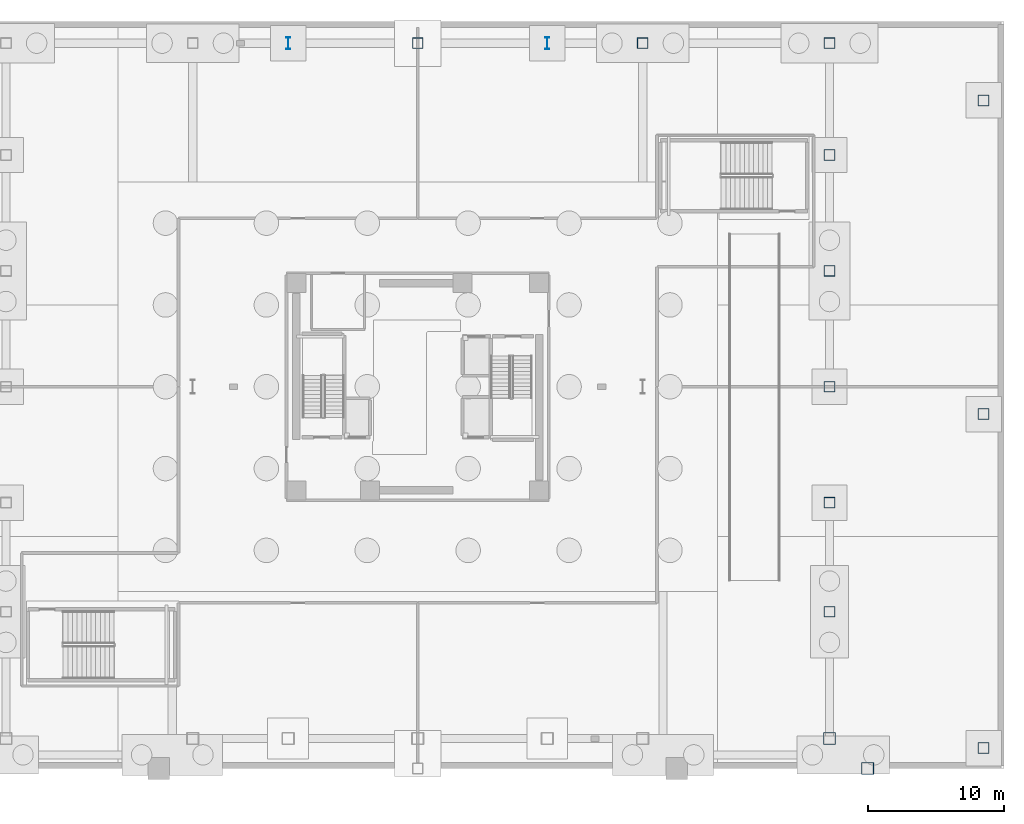
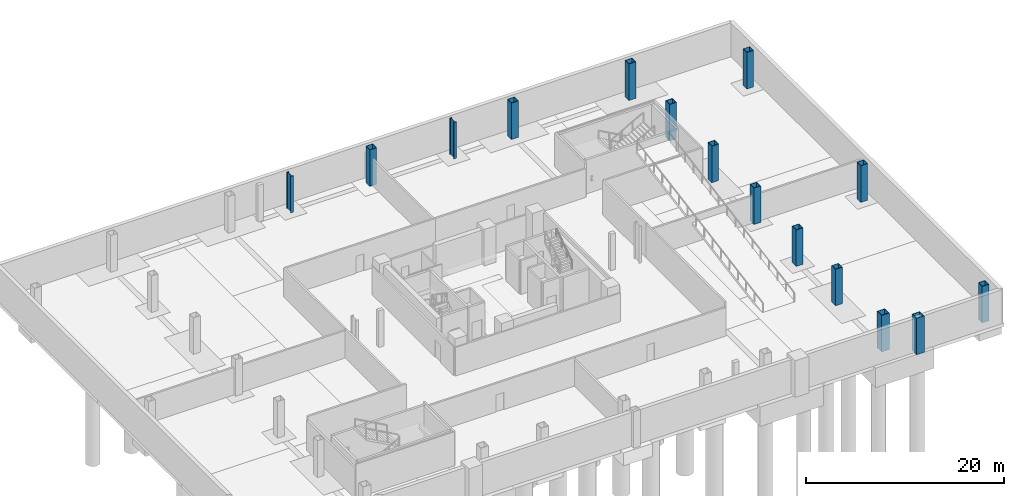
# One storey, part 4 of 15: 15 columns.
"""IFC4 building model written with IfcOpenShell, lengths in metres."""

from ifc_helpers import new_model, si_unit, direction, frame, origin, origin_2d, place, context, subcontext, project, spatial, hollow_rectangle, i_section, extrude, material, material_profile, profile_set, type_object, element, save


model = new_model("IFC4")

# Units and contexts
model_context = context("Model", 3, precision=1e-05, world=origin(), true_north=direction((0.0, 1.0)))
body_context = subcontext(model_context, "Body", "Model", "MODEL_VIEW")
ifc_project = project(units=[si_unit("LENGTHUNIT", "METRE"), si_unit("AREAUNIT", "SQUARE_METRE"), si_unit("VOLUMEUNIT", "CUBIC_METRE"), si_unit("PLANEANGLEUNIT", "RADIAN"), si_unit("MASSUNIT", "GRAM", prefix="KILO")], contexts=[model_context])

# Site, building, storey
site_placement = place(None, origin())
site = spatial("IfcSite", under=ifc_project, at=site_placement, CompositionType="ELEMENT")
building_placement = place(site_placement, origin())
building = spatial("IfcBuilding", under=site, at=building_placement, Name="Tharavind Bronze Gate", CompositionType="ELEMENT")
storey_placement = place(building_placement, frame((0.0, 0.0, -9.0)))
storey = spatial("IfcBuildingStorey", under=building, at=storey_placement, Name="B02", CompositionType="ELEMENT", Elevation=-9.0)

# Columns
ifc_material = material(Name="Steel S460", Category="steel")
ifc_material_profile_1 = material_profile(ifc_material, hollow_rectangle(XDim=0.800048828125, YDim=0.800048828125, WallThickness=0.044921875, at=origin_2d()), Name="SHS800X45")
ifc_profile_set_1 = profile_set([ifc_material_profile_1], Name="Steel S460")
column_type_1 = type_object("IfcColumnType", Name="PERIMETER BOX COLUMN SHS800", PredefinedType="COLUMN", material=ifc_profile_set_1)
for number, where, z_axis, x_axis, name in (
    (1, (0.0, 25.199951171875, 0.0), (0.0, 0.0, 1.0), (1.0, 0.0, 0.0), "B02 podium column PN40"),
    (2, (16.5, 25.199951171875, 0.0), (0.0, 0.0, 1.0), (1.0, 0.0, 0.0), "B02 podium column PN56"),
    (3, (30.199951171875, 25.199951171875, 0.0), (0.0, 0.0, 1.0), (1.0, 0.0, 0.0), "B02 podium column PN70"),
    (4, (30.199951171875, -16.5, 0.0), (0.0, 0.0, 1.0), (1.0, 0.0, 0.0), "B02 podium column PE14"),
    (5, (30.199951171875, -8.5, 0.0), (0.0, 0.0, 1.0), (1.0, 0.0, 0.0), "B02 podium column PE22"),
    (6, (30.199951171875, 0.0, 0.0), (0.0, 0.0, 1.0), (1.0, 0.0, 0.0), "B02 podium column PE30"),
    (7, (30.199951171875, 8.5, 0.0), (0.0, 0.0, 1.0), (1.0, 0.0, 0.0), "B02 podium column PE38"),
    (8, (30.199951171875, 17.0, 0.0), (0.0, 0.0, 1.0), (1.0, 0.0, 0.0), "B02 podium column PE47"),
    (9, (41.5, -26.5, 0.0), (0.0, 0.0, 1.0), (1.0, 0.0, 0.0), "B02 podium column BSX91Y8"),
    (10, (41.5, -2.0, 0.0), (0.0, 0.0, 1.0), (1.0, 0.0, 0.0), "B02 podium column BSX91Y33"),
    (11, (41.5, 21.0, 0.0), (0.0, 0.0, 1.0), (1.0, 0.0, 0.0), "B02 podium column BSX91Y56"),
):
    element("IfcColumn", number, at=place(storey_placement, frame(where, z_axis=z_axis, x_axis=x_axis)), inside=storey, type_object=column_type_1, Name=name, PredefinedType="COLUMN", context=body_context, shape_type="SweptSolid", body=[
        extrude(hollow_rectangle(XDim=0.800048828125, YDim=0.800048828125, WallThickness=0.044921875, at=origin_2d()), origin(), (0.0, 0.0, 1.0), 4.5),
    ])
ifc_material_profile_2 = material_profile(ifc_material, hollow_rectangle(XDim=0.89990234375, YDim=0.89990234375, WallThickness=0.050048828125, at=origin_2d()), Name="SHS900X50")
ifc_profile_set_2 = profile_set([ifc_material_profile_2], Name="Steel S460")
column_type_2 = type_object("IfcColumnType", Name="PERIMETER BOX COLUMN SHS900", PredefinedType="COLUMN", material=ifc_profile_set_2)
for number, where, z_axis, x_axis, name in (
    (12, (30.199951171875, -25.800048828125, 0.0), (0.0, 0.0, 1.0), (1.0, 0.0, 0.0), "B02 podium column PS70"),
    (13, (33.0, -28.0, 0.0), (0.0, 0.0, 1.0), (1.0, 0.0, 0.0), "B02 podium column CRNS4"),
):
    element("IfcColumn", number, at=place(storey_placement, frame(where, z_axis=z_axis, x_axis=x_axis)), inside=storey, type_object=column_type_2, Name=name, PredefinedType="COLUMN", context=body_context, shape_type="SweptSolid", body=[
        extrude(hollow_rectangle(XDim=0.89990234375, YDim=0.89990234375, WallThickness=0.050048828125, at=origin_2d()), origin(), (0.0, 0.0, 1.0), 4.5),
    ])
ifc_material_profile_3 = material_profile(ifc_material, i_section(OverallWidth=0.300048828125, OverallDepth=0.89990234375, WebThickness=0.0185546875, FlangeThickness=0.034912109375, at=origin_2d()), Name="HE900B")
ifc_profile_set_3 = profile_set([ifc_material_profile_3], Name="Steel S460")
column_type_3 = type_object("IfcColumnType", Name="PODIUM HALL COLUMN HE900B", PredefinedType="COLUMN", material=ifc_profile_set_3)
for number, where, z_axis, x_axis, name in (
    (14, (-9.5, 25.199951171875, 0.0), (0.0, 0.0, 1.0), (1.0, 0.0, 0.0), "B02 podium column PN30"),
    (15, (9.5, 25.199951171875, 0.0), (0.0, 0.0, 1.0), (1.0, 0.0, 0.0), "B02 podium column PN50"),
):
    element("IfcColumn", number, at=place(storey_placement, frame(where, z_axis=z_axis, x_axis=x_axis)), inside=storey, type_object=column_type_3, Name=name, PredefinedType="COLUMN", context=body_context, shape_type="SweptSolid", body=[
        extrude(i_section(OverallWidth=0.300048828125, OverallDepth=0.89990234375, WebThickness=0.0185546875, FlangeThickness=0.034912109375, at=origin_2d()), origin(), (0.0, 0.0, 1.0), 4.5),
    ])

save(model, "model.ifc")
